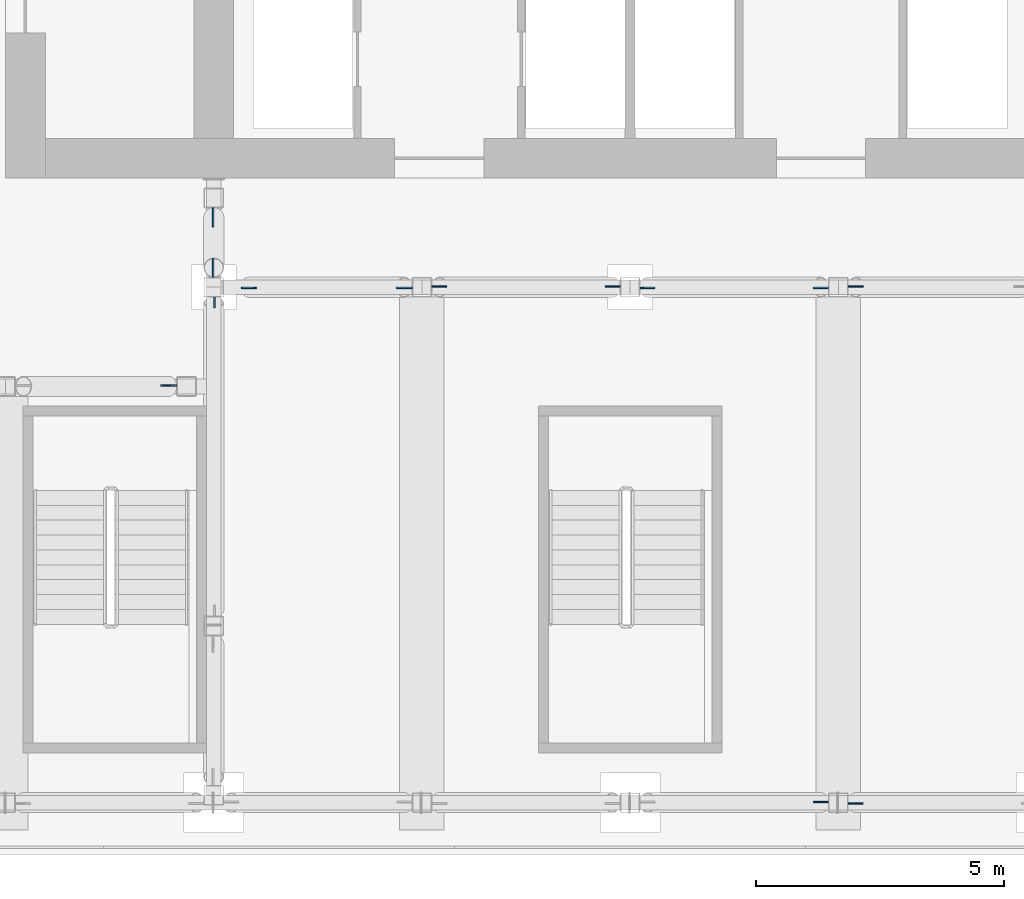
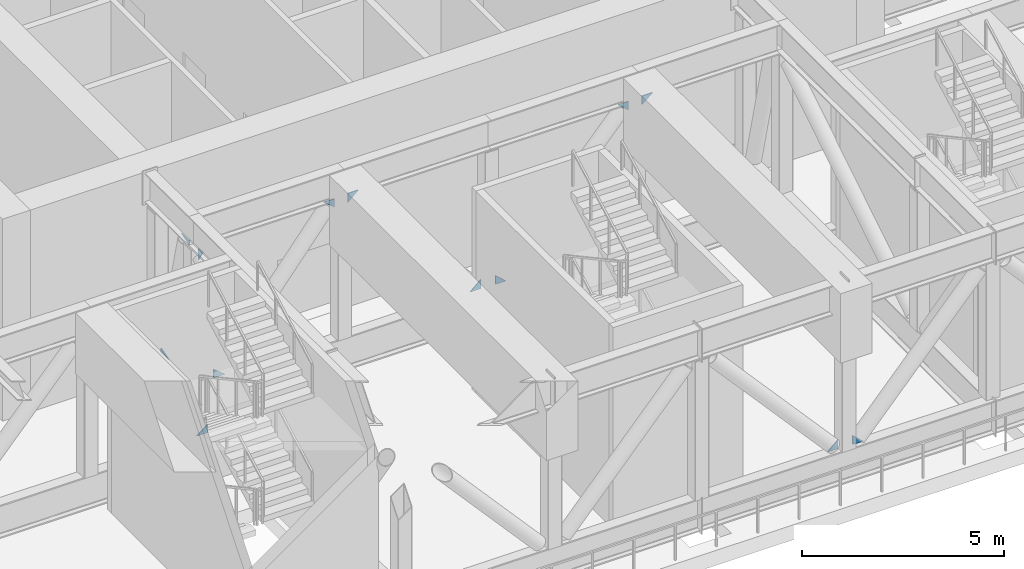
# One storey, part 11 of 23: 13 plates.
"""IFC4 building model written with IfcOpenShell, lengths in metres."""

from ifc_helpers import new_model, si_unit, direction, frame, origin, place, context, subcontext, project, spatial, polyline, outline, extrude, material, layer, layer_set, type_object, element, save


model = new_model("IFC4")

# Units and contexts
model_context = context("Model", 3, precision=1e-05, world=origin(), true_north=direction((0.0, 1.0)))
body_context = subcontext(model_context, "Body", "Model", "MODEL_VIEW")
ifc_project = project(units=[si_unit("LENGTHUNIT", "METRE"), si_unit("AREAUNIT", "SQUARE_METRE"), si_unit("VOLUMEUNIT", "CUBIC_METRE"), si_unit("PLANEANGLEUNIT", "RADIAN"), si_unit("MASSUNIT", "GRAM", prefix="KILO")], contexts=[model_context])

# Site, building, storey
site_placement = place(None, origin())
site = spatial("IfcSite", under=ifc_project, at=site_placement, CompositionType="ELEMENT")
building_placement = place(site_placement, origin())
building = spatial("IfcBuilding", under=site, at=building_placement, Name="Vermilion Ogive Tower", CompositionType="ELEMENT")
storey_placement = place(building_placement, frame((0.0, 0.0, 121.800048828125)))
storey = spatial("IfcBuildingStorey", under=building, at=storey_placement, Name="L31", CompositionType="ELEMENT", Elevation=121.800048828125)

# Plates
ifc_material = material(Name="Steel S355", Category="steel")
ifc_layer = layer(ifc_material, 0.030029296875)
ifc_layer_set = layer_set([ifc_layer], Name="Truss gusset plate 30")
plate_type = type_object("IfcPlateType", Name="Truss gusset plate 30", PredefinedType="USERDEFINED", material=ifc_layer_set)
plate_1_placement = place(storey_placement, frame((-9.14990234375, -12.60009765625, 1.244873046875), z_axis=(0.0, -1.0, 0.0), x_axis=(-0.797320293253, 0.0, -0.603556418214)))
element("IfcPlate", 1, at=plate_1_placement, inside=storey, type_object=plate_type, Name="Gusset plate L31-TR-EWW-12.6-D0A", ObjectType="GUSSET PLATE", PredefinedType="USERDEFINED", context=body_context, shape_type="SweptSolid", body=[
    extrude(outline(polyline([(0.0, 0.0), (0.4057169130929115, 0.0), (0.1477946990889042, 0.19524224954416555), (0.0, 0.0)])), origin(), (0.0, 0.0, -1.0), 0.030029296875),
])
plate_2_placement = place(storey_placement, frame((-8.39990234375, -9.0, 1.11279296875), z_axis=(1.0, 0.0, 0.0), x_axis=(0.0, -0.960517690655, -0.278218917293)))
element("IfcPlate", 2, at=plate_2_placement, inside=storey, type_object=plate_type, Name="Gusset plate L31-TR-NS-8.4-D0A", ObjectType="GUSSET PLATE", PredefinedType="USERDEFINED", context=body_context, shape_type="SweptSolid", body=[
    extrude(outline(polyline([(0.0, 0.0), (0.4054108536092141, 0.0), (0.03138113764389195, 0.10833964186581745), (0.0, 0.0)])), origin(), (0.0, 0.0, -1.0), 0.030029296875),
])
plate_3_placement = place(storey_placement, frame((-8.39990234375, -10.39990234375, 5.0869140625), z_axis=(1.0, 0.0, 0.0), x_axis=(0.0, 0.960356627122, 0.278774368876)))
element("IfcPlate", 3, at=plate_3_placement, inside=storey, type_object=plate_type, Name="Gusset plate L31-TR-NS-8.4-D0B", ObjectType="GUSSET PLATE", PredefinedType="USERDEFINED", context=body_context, shape_type="SweptSolid", body=[
    extrude(outline(polyline([(0.0, 0.0), (0.40547884595940253, 0.0), (0.03151184882561054, 0.10855593709902552), (0.0, 0.0)])), origin(), (0.0, 0.0, -1.0), 0.030029296875),
])
plate_4_placement = place(storey_placement, frame((-8.39990234375, -10.800048828125, 4.857666015625), z_axis=(-1.0, 0.0, 0.0), x_axis=(0.0, -0.536797611065, 0.8437110434)))
element("IfcPlate", 4, at=plate_4_placement, inside=storey, type_object=plate_type, Name="Gusset plate L31-TR-NS-8.4-D1A", ObjectType="GUSSET PLATE", PredefinedType="USERDEFINED", context=body_context, shape_type="SweptSolid", body=[
    extrude(outline(polyline([(0.0, 0.0), (0.40569002732339055, 0.0), (0.28878976632002606, 0.18373785417793384), (0.0, 0.0)])), origin(), (0.0, 0.0, -1.0), 0.030029296875),
])
for number, where, z_axis, x_axis, name in (
    (5, (4.0, -21.0, 1.27099609375), (0.0, -1.0, 0.0), (-0.744280627096, 0.0, -0.667867013805), "Gusset plate L31-TR-BELT-D5B"),
    (6, (4.39990234375, -21.0, 1.27099609375), (0.0, 1.0, 0.0), (0.744280627096, 0.0, -0.667867013805), "Gusset plate L31-TR-BELT-D6A"),
):
    element("IfcPlate", number, at=place(storey_placement, frame(where, z_axis=z_axis, x_axis=x_axis)), inside=storey, type_object=plate_type, Name=name, ObjectType="GUSSET PLATE", PredefinedType="USERDEFINED", context=body_context, shape_type="SweptSolid", body=[
        extrude(outline(polyline([(0.0, 0.0), (0.40576355494188177, 0.0), (0.18098935188567533, 0.20169714259691926), (0.0, 0.0)])), origin(), (0.0, 0.0, -1.0), 0.030029296875),
    ])
for number, where, z_axis, x_axis, name in (
    (7, (-7.85009765625, -10.60009765625, 1.2548828125), (0.0, 1.0, 0.0), (0.778042985444, 0.0, -0.628211041611), "Gusset plate L31-TR-RING0-D0A"),
    (8, (-4.39990234375, -10.60009765625, 4.945068359375), (0.0, 1.0, 0.0), (-0.778042985444, 0.0, 0.628211041611), "Gusset plate L31-TR-RING0-D0B"),
):
    element("IfcPlate", number, at=place(storey_placement, frame(where, z_axis=z_axis, x_axis=x_axis)), inside=storey, type_object=plate_type, Name=name, ObjectType="GUSSET PLATE", PredefinedType="USERDEFINED", context=body_context, shape_type="SweptSolid", body=[
        extrude(outline(polyline([(0.0, 0.0), (0.4057280047901577, 0.0), (0.1601201971293802, 0.19830978437575536), (0.0, 0.0)])), origin(), (0.0, 0.0, -1.0), 0.030029296875),
    ])
for number, where, z_axis, x_axis, name in (
    (9, (-4.0, -10.60009765625, 4.928955078125), (0.0, -1.0, 0.0), (0.744280627096, 0.0, 0.667867013805), "Gusset plate L31-TR-RING0-D1A"),
    (10, (-0.199951171875, -10.60009765625, 1.27099609375), (0.0, -1.0, 0.0), (-0.744280627096, 0.0, -0.667867013805), "Gusset plate L31-TR-RING0-D1B"),
    (11, (0.199951171875, -10.60009765625, 1.27099609375), (0.0, 1.0, 0.0), (0.744280627096, 0.0, -0.667867013805), "Gusset plate L31-TR-RING0-D2A"),
    (12, (4.0, -10.60009765625, 4.928955078125), (0.0, 1.0, 0.0), (-0.744280627096, 0.0, 0.667867013805), "Gusset plate L31-TR-RING0-D2B"),
):
    element("IfcPlate", number, at=place(storey_placement, frame(where, z_axis=z_axis, x_axis=x_axis)), inside=storey, type_object=plate_type, Name=name, ObjectType="GUSSET PLATE", PredefinedType="USERDEFINED", context=body_context, shape_type="SweptSolid", body=[
        extrude(outline(polyline([(0.0, 0.0), (0.40576355494188177, 0.0), (0.18098935188567533, 0.20169714259691926), (0.0, 0.0)])), origin(), (0.0, 0.0, -1.0), 0.030029296875),
    ])
plate_5_placement = place(storey_placement, frame((4.39990234375, -10.60009765625, 4.935546875), z_axis=(0.0, -1.0, 0.0), x_axis=(0.758619249048, 0.0, 0.651534216272)))
element("IfcPlate", 13, at=plate_5_placement, inside=storey, type_object=plate_type, Name="Gusset plate L31-TR-RING0-D3A", ObjectType="GUSSET PLATE", PredefinedType="USERDEFINED", context=body_context, shape_type="SweptSolid", body=[
    extrude(outline(polyline([(0.0, 0.0), (0.4058179758966476, 2.7755575615628914e-17), (0.1722684463434599, 0.20058218914044593), (0.0, 0.0)])), origin(), (0.0, 0.0, -1.0), 0.030029296875),
])

save(model, "model.ifc")
